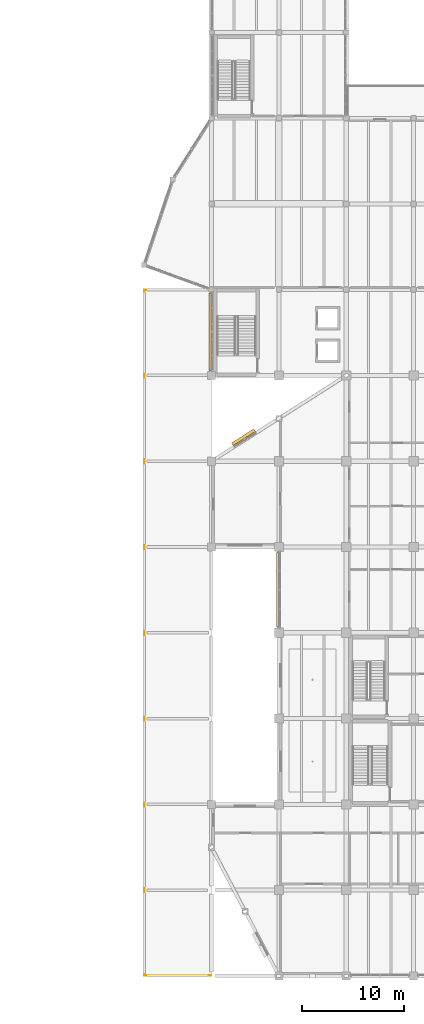
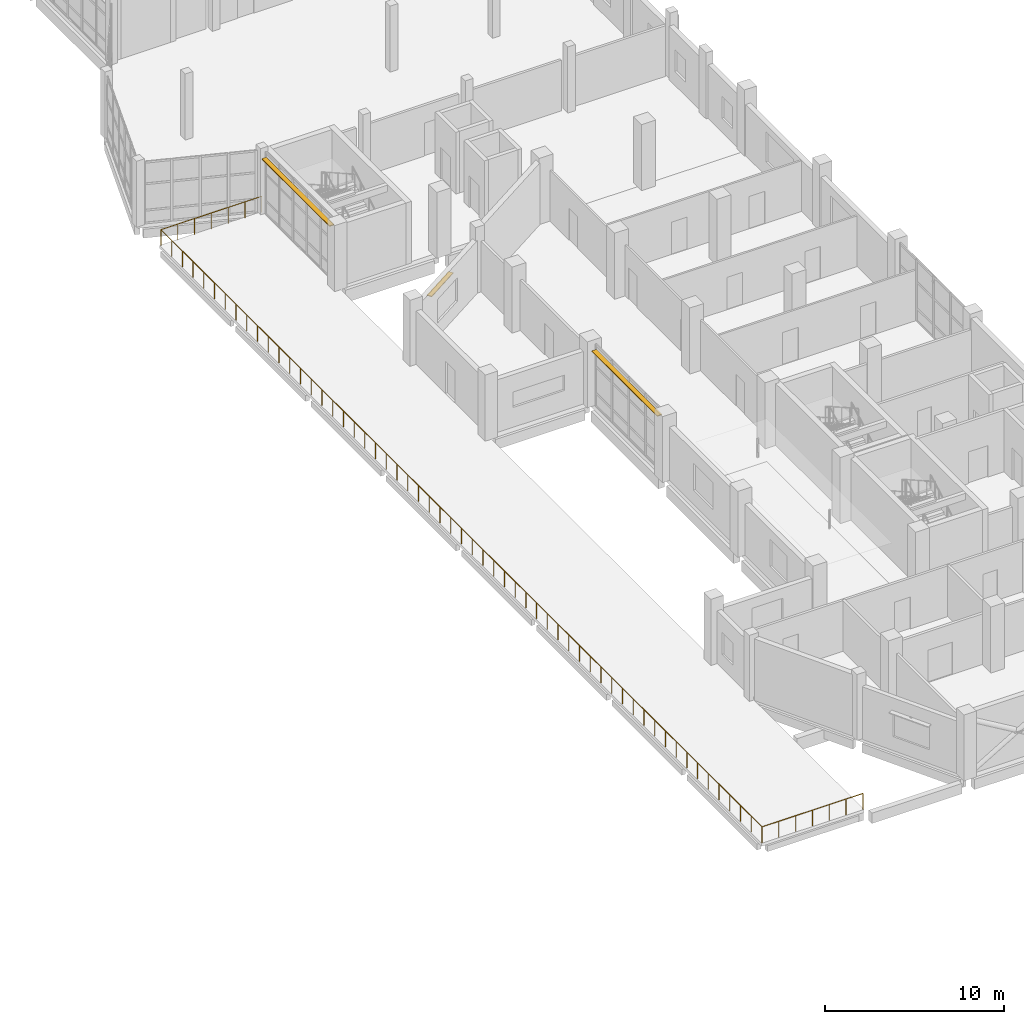
# One storey, part 79 of 83: 3 shading devices, 1 railing.
"""IFC4 building model written with IfcOpenShell, lengths in metres."""

from ifc_helpers import new_model, si_unit, direction, frame, origin, origin_2d, place, context, subcontext, project, spatial, rectangle, circle, extrude, material, layer, layer_set, type_object, element, save


model = new_model("IFC4")

# Units and contexts
model_context = context("Model", 3, precision=1e-05, world=origin(), true_north=direction((0.0, 1.0)))
body_context = subcontext(model_context, "Body", "Model", "MODEL_VIEW")
ifc_project = project(units=[si_unit("LENGTHUNIT", "METRE"), si_unit("AREAUNIT", "SQUARE_METRE"), si_unit("VOLUMEUNIT", "CUBIC_METRE"), si_unit("PLANEANGLEUNIT", "RADIAN"), si_unit("MASSUNIT", "GRAM", prefix="KILO")], contexts=[model_context])

# Site, building, storey
site_placement = place(None, origin())
site = spatial("IfcSite", under=ifc_project, at=site_placement, CompositionType="ELEMENT")
building_placement = place(site_placement, origin())
building = spatial("IfcBuilding", under=site, at=building_placement, Name="Qaldarim Faculty of Natural and Applied Sciences", CompositionType="ELEMENT")
storey_placement = place(building_placement, frame((0.0, 0.0, 5.39990234375)))
storey = spatial("IfcBuildingStorey", under=building, at=storey_placement, Name="L01", CompositionType="ELEMENT", Elevation=5.39990234375)

# Railing
ifc_material_1 = material(Name="Architectural stainless steel 316", Category="steel")
railing_type = type_object("IfcRailingType", Name="ExteriorGuardBalustrade-1100", PredefinedType="BALUSTRADE", material=ifc_material_1)
railing_placement = place(storey_placement, frame((151.75, 0.050048828125, 0.0)))
element("IfcRailing", 1, at=railing_placement, inside=storey, type_object=railing_type, Name="Safety guard balustrade GRD-COLONNADE-L01-E", PredefinedType="BALUSTRADE", context=body_context, shape_type="SweptSolid", body=[
    extrude(circle(Radius=0.02392578125, at=origin_2d()), frame((-0.00390625, 0.0, 1.076171875), z_axis=(-1.0, 0.0, 0.0), x_axis=(0.0, -1.0, 0.0)), (0.0, 0.0, 1.0), 6.491943359375),
    extrude(circle(Radius=0.02392578125, at=origin_2d()), frame((-6.5, 0.00390625, 1.076171875), z_axis=(0.0, 1.0, 0.0), x_axis=(-1.0, 0.0, 0.0)), (0.0, 0.0, 1.0), 67.091796875),
    extrude(circle(Radius=0.02392578125, at=origin_2d()), frame((-6.49609375, 67.099853515625, 1.076171875), z_axis=(1.0, 0.0, 0.0), x_axis=(0.0, 1.0, 0.0)), (0.0, 0.0, 1.0), 6.491943359375),
    extrude(circle(Radius=0.02099609375, at=origin_2d()), origin(), (0.0, 0.0, 1.0), 1.052001953125),
    extrude(circle(Radius=0.02099609375, at=origin_2d()), frame((-1.083251953125, 0.0, 0.0)), (0.0, 0.0, 1.0), 1.052001953125),
    extrude(circle(Radius=0.02099609375, at=origin_2d()), frame((-2.166748046875, 0.0, 0.0)), (0.0, 0.0, 1.0), 1.052001953125),
    extrude(circle(Radius=0.02099609375, at=origin_2d()), frame((-3.25, 0.0, 0.0)), (0.0, 0.0, 1.0), 1.052001953125),
    extrude(circle(Radius=0.02099609375, at=origin_2d()), frame((-4.333251953125, 0.0, 0.0)), (0.0, 0.0, 1.0), 1.052001953125),
    extrude(circle(Radius=0.02099609375, at=origin_2d()), frame((-5.416748046875, 0.0, 0.0)), (0.0, 0.0, 1.0), 1.052001953125),
    extrude(circle(Radius=0.02099609375, at=origin_2d()), frame((-6.5, 0.0, 0.0)), (0.0, 0.0, 1.0), 1.052001953125),
    extrude(circle(Radius=0.02099609375, at=origin_2d()), frame((-6.5, 1.1982421875, 0.0)), (0.0, 0.0, 1.0), 1.052001953125),
    extrude(circle(Radius=0.02099609375, at=origin_2d()), frame((-6.5, 2.396484375, 0.0)), (0.0, 0.0, 1.0), 1.052001953125),
    extrude(circle(Radius=0.02099609375, at=origin_2d()), frame((-6.5, 3.5947265625, 0.0)), (0.0, 0.0, 1.0), 1.052001953125),
    extrude(circle(Radius=0.02099609375, at=origin_2d()), frame((-6.5, 4.79296875, 0.0)), (0.0, 0.0, 1.0), 1.052001953125),
    extrude(circle(Radius=0.02099609375, at=origin_2d()), frame((-6.5, 5.990966796875, 0.0)), (0.0, 0.0, 1.0), 1.052001953125),
    extrude(circle(Radius=0.02099609375, at=origin_2d()), frame((-6.5, 7.189208984375, 0.0)), (0.0, 0.0, 1.0), 1.052001953125),
    extrude(circle(Radius=0.02099609375, at=origin_2d()), frame((-6.5, 8.387451171875, 0.0)), (0.0, 0.0, 1.0), 1.052001953125),
    extrude(circle(Radius=0.02099609375, at=origin_2d()), frame((-6.5, 9.585693359375, 0.0)), (0.0, 0.0, 1.0), 1.052001953125),
    extrude(circle(Radius=0.02099609375, at=origin_2d()), frame((-6.5, 10.783935546875, 0.0)), (0.0, 0.0, 1.0), 1.052001953125),
    extrude(circle(Radius=0.02099609375, at=origin_2d()), frame((-6.5, 11.982177734375, 0.0)), (0.0, 0.0, 1.0), 1.052001953125),
    extrude(circle(Radius=0.02099609375, at=origin_2d()), frame((-6.5, 13.180419921875, 0.0)), (0.0, 0.0, 1.0), 1.052001953125),
    extrude(circle(Radius=0.02099609375, at=origin_2d()), frame((-6.5, 14.37841796875, 0.0)), (0.0, 0.0, 1.0), 1.052001953125),
    extrude(circle(Radius=0.02099609375, at=origin_2d()), frame((-6.5, 15.57666015625, 0.0)), (0.0, 0.0, 1.0), 1.052001953125),
    extrude(circle(Radius=0.02099609375, at=origin_2d()), frame((-6.5, 16.77490234375, 0.0)), (0.0, 0.0, 1.0), 1.052001953125),
    extrude(circle(Radius=0.02099609375, at=origin_2d()), frame((-6.5, 17.97314453125, 0.0)), (0.0, 0.0, 1.0), 1.052001953125),
    extrude(circle(Radius=0.02099609375, at=origin_2d()), frame((-6.5, 19.17138671875, 0.0)), (0.0, 0.0, 1.0), 1.052001953125),
    extrude(circle(Radius=0.02099609375, at=origin_2d()), frame((-6.5, 20.36962890625, 0.0)), (0.0, 0.0, 1.0), 1.052001953125),
    extrude(circle(Radius=0.02099609375, at=origin_2d()), frame((-6.5, 21.56787109375, 0.0)), (0.0, 0.0, 1.0), 1.052001953125),
    extrude(circle(Radius=0.02099609375, at=origin_2d()), frame((-6.5, 22.76611328125, 0.0)), (0.0, 0.0, 1.0), 1.052001953125),
    extrude(circle(Radius=0.02099609375, at=origin_2d()), frame((-6.5, 23.96435546875, 0.0)), (0.0, 0.0, 1.0), 1.052001953125),
    extrude(circle(Radius=0.02099609375, at=origin_2d()), frame((-6.5, 25.162353515625, 0.0)), (0.0, 0.0, 1.0), 1.052001953125),
    extrude(circle(Radius=0.02099609375, at=origin_2d()), frame((-6.5, 26.360595703125, 0.0)), (0.0, 0.0, 1.0), 1.052001953125),
    extrude(circle(Radius=0.02099609375, at=origin_2d()), frame((-6.5, 27.558837890625, 0.0)), (0.0, 0.0, 1.0), 1.052001953125),
    extrude(circle(Radius=0.02099609375, at=origin_2d()), frame((-6.5, 28.757080078125, 0.0)), (0.0, 0.0, 1.0), 1.052001953125),
    extrude(circle(Radius=0.02099609375, at=origin_2d()), frame((-6.5, 29.955322265625, 0.0)), (0.0, 0.0, 1.0), 1.052001953125),
    extrude(circle(Radius=0.02099609375, at=origin_2d()), frame((-6.5, 31.153564453125, 0.0)), (0.0, 0.0, 1.0), 1.052001953125),
    extrude(circle(Radius=0.02099609375, at=origin_2d()), frame((-6.5, 32.351806640625, 0.0)), (0.0, 0.0, 1.0), 1.052001953125),
    extrude(circle(Radius=0.02099609375, at=origin_2d()), frame((-6.5, 33.5498046875, 0.0)), (0.0, 0.0, 1.0), 1.052001953125),
    extrude(circle(Radius=0.02099609375, at=origin_2d()), frame((-6.5, 34.748046875, 0.0)), (0.0, 0.0, 1.0), 1.052001953125),
    extrude(circle(Radius=0.02099609375, at=origin_2d()), frame((-6.5, 35.9462890625, 0.0)), (0.0, 0.0, 1.0), 1.052001953125),
    extrude(circle(Radius=0.02099609375, at=origin_2d()), frame((-6.5, 37.14453125, 0.0)), (0.0, 0.0, 1.0), 1.052001953125),
    extrude(circle(Radius=0.02099609375, at=origin_2d()), frame((-6.5, 38.3427734375, 0.0)), (0.0, 0.0, 1.0), 1.052001953125),
    extrude(circle(Radius=0.02099609375, at=origin_2d()), frame((-6.5, 39.541015625, 0.0)), (0.0, 0.0, 1.0), 1.052001953125),
    extrude(circle(Radius=0.02099609375, at=origin_2d()), frame((-6.5, 40.7392578125, 0.0)), (0.0, 0.0, 1.0), 1.052001953125),
    extrude(circle(Radius=0.02099609375, at=origin_2d()), frame((-6.5, 41.9375, 0.0)), (0.0, 0.0, 1.0), 1.052001953125),
    extrude(circle(Radius=0.02099609375, at=origin_2d()), frame((-6.5, 43.1357421875, 0.0)), (0.0, 0.0, 1.0), 1.052001953125),
    extrude(circle(Radius=0.02099609375, at=origin_2d()), frame((-6.5, 44.333740234375, 0.0)), (0.0, 0.0, 1.0), 1.052001953125),
    extrude(circle(Radius=0.02099609375, at=origin_2d()), frame((-6.5, 45.531982421875, 0.0)), (0.0, 0.0, 1.0), 1.052001953125),
    extrude(circle(Radius=0.02099609375, at=origin_2d()), frame((-6.5, 46.730224609375, 0.0)), (0.0, 0.0, 1.0), 1.052001953125),
    extrude(circle(Radius=0.02099609375, at=origin_2d()), frame((-6.5, 47.928466796875, 0.0)), (0.0, 0.0, 1.0), 1.052001953125),
    extrude(circle(Radius=0.02099609375, at=origin_2d()), frame((-6.5, 49.126708984375, 0.0)), (0.0, 0.0, 1.0), 1.052001953125),
    extrude(circle(Radius=0.02099609375, at=origin_2d()), frame((-6.5, 50.324951171875, 0.0)), (0.0, 0.0, 1.0), 1.052001953125),
    extrude(circle(Radius=0.02099609375, at=origin_2d()), frame((-6.5, 51.523193359375, 0.0)), (0.0, 0.0, 1.0), 1.052001953125),
    extrude(circle(Radius=0.02099609375, at=origin_2d()), frame((-6.5, 52.72119140625, 0.0)), (0.0, 0.0, 1.0), 1.052001953125),
    extrude(circle(Radius=0.02099609375, at=origin_2d()), frame((-6.5, 53.91943359375, 0.0)), (0.0, 0.0, 1.0), 1.052001953125),
    extrude(circle(Radius=0.02099609375, at=origin_2d()), frame((-6.5, 55.11767578125, 0.0)), (0.0, 0.0, 1.0), 1.052001953125),
    extrude(circle(Radius=0.02099609375, at=origin_2d()), frame((-6.5, 56.31591796875, 0.0)), (0.0, 0.0, 1.0), 1.052001953125),
    extrude(circle(Radius=0.02099609375, at=origin_2d()), frame((-6.5, 57.51416015625, 0.0)), (0.0, 0.0, 1.0), 1.052001953125),
    extrude(circle(Radius=0.02099609375, at=origin_2d()), frame((-6.5, 58.71240234375, 0.0)), (0.0, 0.0, 1.0), 1.052001953125),
    extrude(circle(Radius=0.02099609375, at=origin_2d()), frame((-6.5, 59.91064453125, 0.0)), (0.0, 0.0, 1.0), 1.052001953125),
    extrude(circle(Radius=0.02099609375, at=origin_2d()), frame((-6.5, 61.10888671875, 0.0)), (0.0, 0.0, 1.0), 1.052001953125),
    extrude(circle(Radius=0.02099609375, at=origin_2d()), frame((-6.5, 62.30712890625, 0.0)), (0.0, 0.0, 1.0), 1.052001953125),
    extrude(circle(Radius=0.02099609375, at=origin_2d()), frame((-6.5, 63.505126953125, 0.0)), (0.0, 0.0, 1.0), 1.052001953125),
    extrude(circle(Radius=0.02099609375, at=origin_2d()), frame((-6.5, 64.703369140625, 0.0)), (0.0, 0.0, 1.0), 1.052001953125),
    extrude(circle(Radius=0.02099609375, at=origin_2d()), frame((-6.5, 65.901611328125, 0.0)), (0.0, 0.0, 1.0), 1.052001953125),
    extrude(circle(Radius=0.02099609375, at=origin_2d()), frame((-6.5, 67.099853515625, 0.0)), (0.0, 0.0, 1.0), 1.052001953125),
    extrude(circle(Radius=0.02099609375, at=origin_2d()), frame((-5.416748046875, 67.099853515625, 0.0)), (0.0, 0.0, 1.0), 1.052001953125),
    extrude(circle(Radius=0.02099609375, at=origin_2d()), frame((-4.333251953125, 67.099853515625, 0.0)), (0.0, 0.0, 1.0), 1.052001953125),
    extrude(circle(Radius=0.02099609375, at=origin_2d()), frame((-3.25, 67.099853515625, 0.0)), (0.0, 0.0, 1.0), 1.052001953125),
    extrude(circle(Radius=0.02099609375, at=origin_2d()), frame((-2.166748046875, 67.099853515625, 0.0)), (0.0, 0.0, 1.0), 1.052001953125),
    extrude(circle(Radius=0.02099609375, at=origin_2d()), frame((-1.083251953125, 67.099853515625, 0.0)), (0.0, 0.0, 1.0), 1.052001953125),
    extrude(circle(Radius=0.02099609375, at=origin_2d()), frame((0.0, 67.099853515625, 0.0)), (0.0, 0.0, 1.0), 1.052001953125),
])

# Shading devices
ifc_material_2 = material(Name="Champagne anodised aluminium AW-6063", Category="aluminium")
ifc_layer = layer(ifc_material_2, 0.050048828125)
ifc_layer_set = layer_set([ifc_layer], Name="Champagne anodised aluminium AW-6063")
shading_device_type = type_object("IfcShadingDeviceType", Name="SolarLouvre-ALU300x50", PredefinedType="JALOUSIE", material=ifc_layer_set)
shading_device_1_placement = place(storey_placement, frame((151.72998046875, 63.074951171875, 3.8251953125), z_axis=(0.0, 0.0, 1.0), x_axis=(0.0, 1.0, 0.0)))
element("IfcShadingDevice", 2, at=shading_device_1_placement, inside=storey, type_object=shading_device_type, Name="Horizontal solar louvre L01 W X24Y08", PredefinedType="JALOUSIE", context=body_context, shape_type="SweptSolid", body=[
    extrude(rectangle(XDim=7.56005859375, YDim=0.300048828125, at=origin_2d()), origin(), (0.0, 0.0, 1.0), 0.050048828125),
])
shading_device_2_placement = place(storey_placement, frame((158.330078125, 37.800048828125, 3.8251953125), z_axis=(0.0, 0.0, 1.0), x_axis=(0.0, 1.0, 0.0)))
element("IfcShadingDevice", 3, at=shading_device_2_placement, inside=storey, type_object=shading_device_type, Name="Horizontal solar louvre L01 W X25Y05", PredefinedType="JALOUSIE", context=body_context, shape_type="SweptSolid", body=[
    extrude(rectangle(XDim=7.31005859375, YDim=0.300048828125, at=origin_2d()), origin(), (0.0, 0.0, 1.0), 0.050048828125),
])
shading_device_3_placement = place(storey_placement, frame((154.93505859375, 52.7548828125, 2.67529296875), z_axis=(0.0, 0.0, 1.0), x_axis=(0.843775713382, 0.536695952571, 0.0)))
element("IfcShadingDevice", 4, at=shading_device_3_placement, inside=storey, type_object=shading_device_type, Name="Oblique facade horizontal solar louvre SHD-OBL-NW-L01-1", PredefinedType="JALOUSIE", context=body_context, shape_type="SweptSolid", body=[
    extrude(rectangle(XDim=2.60009765625, YDim=0.300048828125, at=origin_2d()), origin(), (0.0, 0.0, 1.0), 0.050048828125),
])

save(model, "model.ifc")
